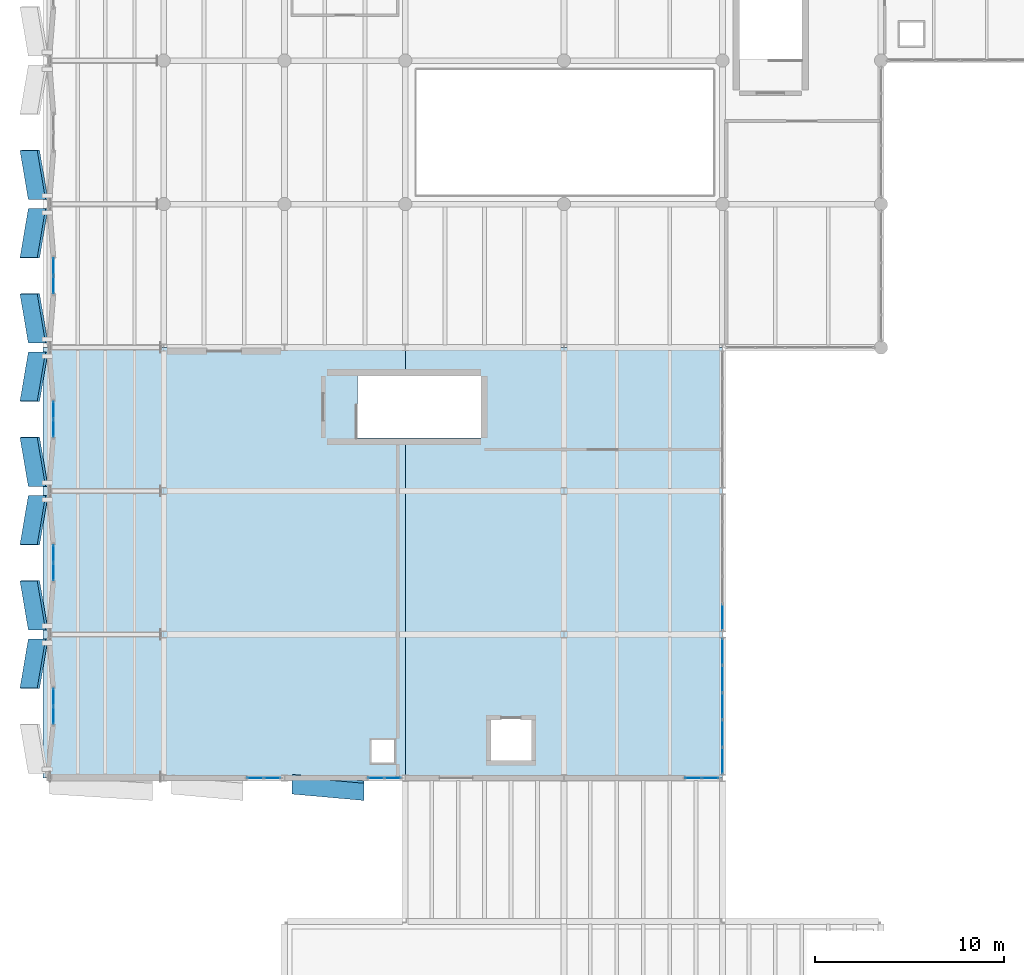
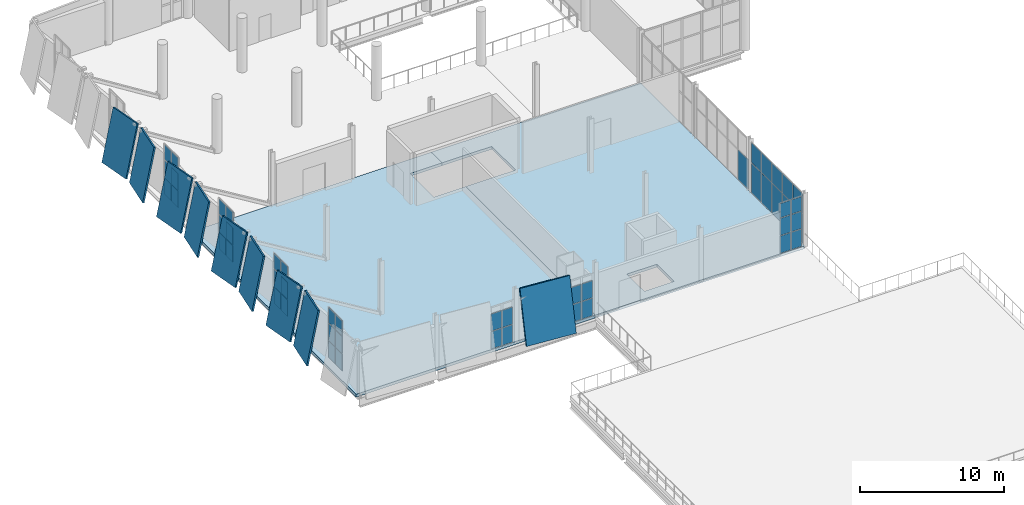
# One storey, part 49 of 74: 58 plates, 2 slabs, 9 elements without a shape of their own.
"""IFC4 building model written with IfcOpenShell, lengths in metres."""

from ifc_helpers import new_model, si_unit, direction, frame, origin, origin_2d, place, context, subcontext, project, spatial, polyline, rectangle, outline, extrude, material, layer, layer_set, type_object, element, aggregate, save


model = new_model("IFC4")

# Units and contexts
model_context = context("Model", 3, precision=1e-05, world=origin(), true_north=direction((0.0, 1.0)))
body_context = subcontext(model_context, "Body", "Model", "MODEL_VIEW")
ifc_project = project(units=[si_unit("LENGTHUNIT", "METRE"), si_unit("AREAUNIT", "SQUARE_METRE"), si_unit("VOLUMEUNIT", "CUBIC_METRE"), si_unit("PLANEANGLEUNIT", "RADIAN"), si_unit("MASSUNIT", "GRAM", prefix="KILO")], contexts=[model_context])

# Site, building, storey
site_placement = place(None, origin())
site = spatial("IfcSite", under=ifc_project, at=site_placement, CompositionType="ELEMENT")
building_placement = place(site_placement, origin())
building = spatial("IfcBuilding", under=site, at=building_placement, Name="Shengluoqiao Park Theatre", CompositionType="ELEMENT")
storey_placement = place(building_placement, frame((0.0, 0.0, 14.60009765625)))
storey = spatial("IfcBuildingStorey", under=building, at=storey_placement, Name="L03", CompositionType="ELEMENT", Elevation=14.60009765625)

# Plates
ifc_material_1 = material(Name="Precast concrete C45", Category="concrete")
ifc_layer_1 = layer(ifc_material_1, 0.1298828125, Name="Precast concrete C45")
ifc_layer_set_1 = layer_set([ifc_layer_1], Name="Precast concrete C45")
plate_type_1 = type_object("IfcPlateType", Name="ENV-CRYS-CP-130", PredefinedType="USERDEFINED", material=ifc_layer_set_1)
plate_1_placement = place(storey_placement, frame((-1.212890625, 35.159912109375, -0.050048828125), z_axis=(-0.965714399006, 0.16340068986, 0.20173228325), x_axis=(0.166830610335, 0.985985571626, 0.0)))
element("IfcPlate", 1, at=plate_1_placement, inside=storey, type_object=plate_type_1, Name="V3 L03 Tilted White Precast Crystal Panel 048", ObjectType="FACADE PANEL", PredefinedType="USERDEFINED", context=body_context, shape_type="SweptSolid", body=[
    extrude(outline(polyline([(0.0, 0.0), (2.637054467198198, 1.3877787807814457e-17), (2.78934442131039, -4.461600426058242), (0.15228995411219196, -4.461600426058242), (0.0, 0.0)])), origin(), (0.0, 0.0, -1.0), 0.1298828125),
])
plate_2_placement = place(storey_placement, frame((-0.77294921875, 38.239990234375, -0.050048828125), z_axis=(-0.965714399006, -0.16340068986, 0.20173228325), x_axis=(-0.166830610335, 0.985985571626, 0.0)))
element("IfcPlate", 2, at=plate_2_placement, inside=storey, type_object=plate_type_1, Name="V3 L03 Tilted White Precast Crystal Panel 049", ObjectType="FACADE PANEL", PredefinedType="USERDEFINED", context=body_context, shape_type="SweptSolid", body=[
    extrude(outline(polyline([(0.0, 0.0), (2.637054467198198, -1.3877787807814457e-17), (2.484764513086006, -4.461600426058242), (-0.15228995411219196, -4.461600426058242), (0.0, 0.0)])), origin(), (0.0, 0.0, -1.0), 0.1298828125),
])
plate_3_placement = place(storey_placement, frame((-1.212890625, 42.760009765625, -0.050048828125), z_axis=(-0.965714399006, 0.16340068986, 0.20173228325), x_axis=(0.166830610335, 0.985985571626, 0.0)))
element("IfcPlate", 3, at=plate_3_placement, inside=storey, type_object=plate_type_1, Name="V3 L03 Tilted White Precast Crystal Panel 050", ObjectType="FACADE PANEL", PredefinedType="USERDEFINED", context=body_context, shape_type="SweptSolid", body=[
    extrude(outline(polyline([(0.0, 0.0), (2.637054467198198, 1.3877787807814457e-17), (2.78934442131039, -4.461600426058242), (0.15228995411219196, -4.461600426058242), (0.0, 0.0)])), origin(), (0.0, 0.0, -1.0), 0.1298828125),
])
plate_4_placement = place(storey_placement, frame((-0.77294921875, 45.840087890625, -0.050048828125), z_axis=(-0.965711977607, -0.163415624345, 0.201731777433), x_axis=(-0.166845840561, 0.985982994523, 0.0)))
element("IfcPlate", 4, at=plate_4_placement, inside=storey, type_object=plate_type_1, Name="V3 L03 Tilted White Precast Crystal Panel 051", ObjectType="FACADE PANEL", PredefinedType="USERDEFINED", context=body_context, shape_type="SweptSolid", body=[
    extrude(outline(polyline([(0.0, 0.0), (2.6368137483790735, 0.0), (2.484509891480634, -4.461599951486063), (-0.15230385689843953, -4.461599951486063), (0.0, 0.0)])), origin(), (0.0, 0.0, -1.0), 0.1298828125),
])
plate_5_placement = place(storey_placement, frame((-1.212890625, 50.360107421875, -0.050048828125), z_axis=(-0.965711977607, 0.163415624345, 0.201731777433), x_axis=(0.166845840561, 0.985982994523, 0.0)))
element("IfcPlate", 5, at=plate_5_placement, inside=storey, type_object=plate_type_1, Name="V3 L03 Tilted White Precast Crystal Panel 052", ObjectType="FACADE PANEL", PredefinedType="USERDEFINED", context=body_context, shape_type="SweptSolid", body=[
    extrude(outline(polyline([(0.0, 0.0), (2.6368137483790735, 0.0), (2.789117605277513, -4.461599951486063), (0.15230385689843953, -4.461599951486063), (0.0, 0.0)])), origin(), (0.0, 0.0, -1.0), 0.1298828125),
])
plate_6_placement = place(storey_placement, frame((-0.77294921875, 53.43994140625, -0.050048828125), z_axis=(-0.965714399006, -0.16340068986, 0.20173228325), x_axis=(-0.166830610335, 0.985985571626, 0.0)))
element("IfcPlate", 6, at=plate_6_placement, inside=storey, type_object=plate_type_1, Name="V5 L03 Tilted White Precast Crystal Panel 053", ObjectType="FACADE PANEL", PredefinedType="USERDEFINED", context=body_context, shape_type="SweptSolid", body=[
    extrude(outline(polyline([(0.0, 0.0), (2.637054467198198, -1.3877787807814457e-17), (2.484764513086006, -4.461600426058242), (-0.15228995411219196, -4.461600426058242), (0.0, 0.0)])), origin(), (0.0, 0.0, -1.0), 0.1298828125),
])
plate_7_placement = place(storey_placement, frame((-1.212890625, 57.9599609375, -0.050048828125), z_axis=(-0.965714399006, 0.16340068986, 0.20173228325), x_axis=(0.166830610335, 0.985985571626, 0.0)))
element("IfcPlate", 7, at=plate_7_placement, inside=storey, type_object=plate_type_1, Name="V5 L03 Tilted White Precast Crystal Panel 054", ObjectType="FACADE PANEL", PredefinedType="USERDEFINED", context=body_context, shape_type="SweptSolid", body=[
    extrude(outline(polyline([(0.0, 0.0), (2.637054467198198, 1.3877787807814457e-17), (2.78934442131039, -4.461600426058242), (0.15228995411219196, -4.461600426058242), (0.0, 0.0)])), origin(), (0.0, 0.0, -1.0), 0.1298828125),
])
plate_8_placement = place(storey_placement, frame((-0.77294921875, 61.0400390625, -0.050048828125), z_axis=(-0.965711977607, -0.163415624345, 0.201731777433), x_axis=(-0.166845840561, 0.985982994523, 0.0)))
element("IfcPlate", 8, at=plate_8_placement, inside=storey, type_object=plate_type_1, Name="V5 L03 Tilted White Precast Crystal Panel 055", ObjectType="FACADE PANEL", PredefinedType="USERDEFINED", context=body_context, shape_type="SweptSolid", body=[
    extrude(outline(polyline([(0.0, 0.0), (2.6368137483790735, 0.0), (2.484509891480634, -4.461599951486063), (-0.15230385689843953, -4.461599951486063), (0.0, 0.0)])), origin(), (0.0, 0.0, -1.0), 0.1298828125),
])
plate_9_placement = place(storey_placement, frame((13.199951171875, 29.547119140625, -0.050048828125), z_axis=(-0.087238864034, -0.975133155252, 0.203727048107), x_axis=(0.99602188287, -0.089108971516, -6.356253e-06)))
element("IfcPlate", 9, at=plate_9_placement, inside=storey, type_object=plate_type_1, Name="V3 South L03 Tilted White Precast Crystal Panel 061", ObjectType="FACADE PANEL", PredefinedType="USERDEFINED", context=body_context, shape_type="SweptSolid", body=[
    extrude(outline(polyline([(0.0, 0.0), (3.8152366709438437, -1.3877787807814457e-17), (3.733844746128438, 4.463506661300104), (-0.08137016969540672, 4.463457121250413), (0.0, 0.0)])), origin(), (0.0, 0.0, -1.0), 0.1298828125),
])

# Curtain wall, plates
ifc_material_2 = material(Name="Aluminium 6063-T6", Category="aluminium")
curtain_wall_type_1 = type_object("IfcCurtainWallType", Name="ENV-CW-STUDIO", PredefinedType="NOTDEFINED", material=ifc_material_2)
curtain_wall_1_placement = place(storey_placement, origin())
curtain_wall_1 = element("IfcCurtainWall", 10, at=curtain_wall_1_placement, inside=storey, type_object=curtain_wall_type_1, Name="L03 Curtain Wall CWX-L03-0030", PredefinedType="NOTDEFINED")
ifc_material_3 = material(Name="Insulated glass", Category="glass")
ifc_layer_2 = layer(ifc_material_3, 0.0380859375, Name="Insulated glass")
ifc_layer_set_2 = layer_set([ifc_layer_2], Name="Insulated glass")
plate_type_2 = type_object("IfcPlateType", Name="ENV-GLZ-GL-38", PredefinedType="CURTAIN_PANEL", material=ifc_layer_set_2)
plate_10_placement = place(storey_placement, frame((11.245849609375, 30.39990234375, 0.059814453125), z_axis=(0.0, 0.0, 1.0), x_axis=(1.0, 0.0, 0.0)))
plate_10 = element("IfcPlate", 11, at=plate_10_placement, type_object=plate_type_2, Name="CW-02 panel 1.1", PredefinedType="CURTAIN_PANEL", context=body_context, shape_type="SweptSolid", body=[
    extrude(rectangle(XDim=0.83740234375, YDim=0.0380859375, at=origin_2d()), origin(), (0.0, 0.0, 1.0), 1.4599609375),
])
plate_11_placement = place(storey_placement, frame((11.245849609375, 30.39990234375, 1.579833984375), z_axis=(0.0, 0.0, 1.0), x_axis=(1.0, 0.0, 0.0)))
plate_11 = element("IfcPlate", 12, at=plate_11_placement, type_object=plate_type_2, Name="CW-02 panel 1.2", PredefinedType="CURTAIN_PANEL", context=body_context, shape_type="SweptSolid", body=[
    extrude(rectangle(XDim=0.83740234375, YDim=0.0380859375, at=origin_2d()), origin(), (0.0, 0.0, 1.0), 1.43994140625),
])
plate_12_placement = place(storey_placement, frame((12.143310546875, 30.39990234375, 0.059814453125), z_axis=(0.0, 0.0, 1.0), x_axis=(1.0, 0.0, 0.0)))
plate_12 = element("IfcPlate", 13, at=plate_12_placement, type_object=plate_type_2, Name="CW-02 panel 2.1", PredefinedType="CURTAIN_PANEL", context=body_context, shape_type="SweptSolid", body=[
    extrude(rectangle(XDim=0.83740234375, YDim=0.0380859375, at=origin_2d()), origin(), (0.0, 0.0, 1.0), 1.4599609375),
])
plate_13_placement = place(storey_placement, frame((12.143310546875, 30.39990234375, 1.579833984375), z_axis=(0.0, 0.0, 1.0), x_axis=(1.0, 0.0, 0.0)))
plate_13 = element("IfcPlate", 14, at=plate_13_placement, type_object=plate_type_2, Name="CW-02 panel 2.2", PredefinedType="CURTAIN_PANEL", context=body_context, shape_type="SweptSolid", body=[
    extrude(rectangle(XDim=0.83740234375, YDim=0.0380859375, at=origin_2d()), origin(), (0.0, 0.0, 1.0), 1.43994140625),
])
aggregate(curtain_wall_1, [plate_10, plate_11, plate_12, plate_13])

curtain_wall_2_placement = place(storey_placement, origin())
curtain_wall_2 = element("IfcCurtainWall", 15, at=curtain_wall_2_placement, inside=storey, type_object=curtain_wall_type_1, Name="L03 Curtain Wall CWX-L03-0031", PredefinedType="NOTDEFINED")
plate_14_placement = place(storey_placement, frame((17.645751953125, 30.39990234375, 0.059814453125), z_axis=(0.0, 0.0, 1.0), x_axis=(1.0, 0.0, 0.0)))
plate_14 = element("IfcPlate", 16, at=plate_14_placement, type_object=plate_type_2, Name="CW-02 panel 1.1", PredefinedType="CURTAIN_PANEL", context=body_context, shape_type="SweptSolid", body=[
    extrude(rectangle(XDim=0.83740234375, YDim=0.0380859375, at=origin_2d()), origin(), (0.0, 0.0, 1.0), 1.4599609375),
])
plate_15_placement = place(storey_placement, frame((17.645751953125, 30.39990234375, 1.579833984375), z_axis=(0.0, 0.0, 1.0), x_axis=(1.0, 0.0, 0.0)))
plate_15 = element("IfcPlate", 17, at=plate_15_placement, type_object=plate_type_2, Name="CW-02 panel 1.2", PredefinedType="CURTAIN_PANEL", context=body_context, shape_type="SweptSolid", body=[
    extrude(rectangle(XDim=0.83740234375, YDim=0.0380859375, at=origin_2d()), origin(), (0.0, 0.0, 1.0), 1.43994140625),
])
plate_16_placement = place(storey_placement, frame((18.543212890625, 30.39990234375, 0.059814453125), z_axis=(0.0, 0.0, 1.0), x_axis=(1.0, 0.0, 0.0)))
plate_16 = element("IfcPlate", 18, at=plate_16_placement, type_object=plate_type_2, Name="CW-02 panel 2.1", PredefinedType="CURTAIN_PANEL", context=body_context, shape_type="SweptSolid", body=[
    extrude(rectangle(XDim=0.83740234375, YDim=0.0380859375, at=origin_2d()), origin(), (0.0, 0.0, 1.0), 1.4599609375),
])
plate_17_placement = place(storey_placement, frame((18.543212890625, 30.39990234375, 1.579833984375), z_axis=(0.0, 0.0, 1.0), x_axis=(1.0, 0.0, 0.0)))
plate_17 = element("IfcPlate", 19, at=plate_17_placement, type_object=plate_type_2, Name="CW-02 panel 2.2", PredefinedType="CURTAIN_PANEL", context=body_context, shape_type="SweptSolid", body=[
    extrude(rectangle(XDim=0.83740234375, YDim=0.0380859375, at=origin_2d()), origin(), (0.0, 0.0, 1.0), 1.43994140625),
])
aggregate(curtain_wall_2, [plate_14, plate_15, plate_16, plate_17])

curtain_wall_3_placement = place(storey_placement, origin())
curtain_wall_3 = element("IfcCurtainWall", 20, at=curtain_wall_3_placement, inside=storey, type_object=curtain_wall_type_1, Name="L03 Curtain Wall CWX-L03-0032", PredefinedType="NOTDEFINED")
plate_18_placement = place(storey_placement, frame((34.44580078125, 30.39990234375, 0.059814453125), z_axis=(0.0, 0.0, 1.0), x_axis=(1.0, 0.0, 0.0)))
plate_18 = element("IfcPlate", 21, at=plate_18_placement, type_object=plate_type_2, Name="CW-02 panel 1.1", PredefinedType="CURTAIN_PANEL", context=body_context, shape_type="SweptSolid", body=[
    extrude(rectangle(XDim=0.83740234375, YDim=0.0380859375, at=origin_2d()), origin(), (0.0, 0.0, 1.0), 1.4599609375),
])
plate_19_placement = place(storey_placement, frame((34.44580078125, 30.39990234375, 1.579833984375), z_axis=(0.0, 0.0, 1.0), x_axis=(1.0, 0.0, 0.0)))
plate_19 = element("IfcPlate", 22, at=plate_19_placement, type_object=plate_type_2, Name="CW-02 panel 1.2", PredefinedType="CURTAIN_PANEL", context=body_context, shape_type="SweptSolid", body=[
    extrude(rectangle(XDim=0.83740234375, YDim=0.0380859375, at=origin_2d()), origin(), (0.0, 0.0, 1.0), 1.43994140625),
])
plate_20_placement = place(storey_placement, frame((34.44580078125, 30.39990234375, 3.080078125), z_axis=(0.0, 0.0, 1.0), x_axis=(1.0, 0.0, 0.0)))
plate_20 = element("IfcPlate", 23, at=plate_20_placement, type_object=plate_type_2, Name="CW-02 panel 1.3", PredefinedType="CURTAIN_PANEL", context=body_context, shape_type="SweptSolid", body=[
    extrude(rectangle(XDim=0.83740234375, YDim=0.0380859375, at=origin_2d()), origin(), (0.0, 0.0, 1.0), 1.199951171875),
])
plate_21_placement = place(storey_placement, frame((35.34326171875, 30.39990234375, 0.059814453125), z_axis=(0.0, 0.0, 1.0), x_axis=(1.0, 0.0, 0.0)))
plate_21 = element("IfcPlate", 24, at=plate_21_placement, type_object=plate_type_2, Name="CW-02 panel 2.1", PredefinedType="CURTAIN_PANEL", context=body_context, shape_type="SweptSolid", body=[
    extrude(rectangle(XDim=0.83740234375, YDim=0.0380859375, at=origin_2d()), origin(), (0.0, 0.0, 1.0), 1.4599609375),
])
plate_22_placement = place(storey_placement, frame((35.34326171875, 30.39990234375, 1.579833984375), z_axis=(0.0, 0.0, 1.0), x_axis=(1.0, 0.0, 0.0)))
plate_22 = element("IfcPlate", 25, at=plate_22_placement, type_object=plate_type_2, Name="CW-02 panel 2.2", PredefinedType="CURTAIN_PANEL", context=body_context, shape_type="SweptSolid", body=[
    extrude(rectangle(XDim=0.83740234375, YDim=0.0380859375, at=origin_2d()), origin(), (0.0, 0.0, 1.0), 1.43994140625),
])
plate_23_placement = place(storey_placement, frame((35.34326171875, 30.39990234375, 3.080078125), z_axis=(0.0, 0.0, 1.0), x_axis=(1.0, 0.0, 0.0)))
plate_23 = element("IfcPlate", 26, at=plate_23_placement, type_object=plate_type_2, Name="CW-02 panel 2.3", PredefinedType="CURTAIN_PANEL", context=body_context, shape_type="SweptSolid", body=[
    extrude(rectangle(XDim=0.83740234375, YDim=0.0380859375, at=origin_2d()), origin(), (0.0, 0.0, 1.0), 1.199951171875),
])
aggregate(curtain_wall_3, [plate_18, plate_19, plate_20, plate_21, plate_22, plate_23])

curtain_wall_type_2 = type_object("IfcCurtainWallType", Name="ENV-CW-COURT", PredefinedType="NOTDEFINED", material=ifc_material_2)
curtain_wall_4_placement = place(storey_placement, origin())
curtain_wall_4 = element("IfcCurtainWall", 27, at=curtain_wall_4_placement, inside=storey, type_object=curtain_wall_type_2, Name="L03 Curtain Wall CWX-L03-0033", PredefinedType="NOTDEFINED")
plate_24_placement = place(storey_placement, frame((36.0, 31.31591796875, 0.06005859375), z_axis=(0.0, 0.0, 1.0), x_axis=(0.0, 1.0, 0.0)))
plate_24 = element("IfcPlate", 28, at=plate_24_placement, type_object=plate_type_2, Name="CW-05 panel 1.1", PredefinedType="CURTAIN_PANEL", context=body_context, shape_type="SweptSolid", body=[
    extrude(rectangle(XDim=1.359619140625, YDim=0.0380859375, at=origin_2d()), origin(), (0.0, 0.0, 1.0), 2.513916015625),
])
plate_25_placement = place(storey_placement, frame((36.0, 31.31591796875, 2.6337890625), z_axis=(0.0, 0.0, 1.0), x_axis=(0.0, 1.0, 0.0)))
plate_25 = element("IfcPlate", 29, at=plate_25_placement, type_object=plate_type_2, Name="CW-05 panel 1.2", PredefinedType="CURTAIN_PANEL", context=body_context, shape_type="SweptSolid", body=[
    extrude(rectangle(XDim=1.359619140625, YDim=0.0380859375, at=origin_2d()), origin(), (0.0, 0.0, 1.0), 1.64599609375),
])
plate_26_placement = place(storey_placement, frame((36.0, 32.75048828125, 0.06005859375), z_axis=(0.0, 0.0, 1.0), x_axis=(0.0, 1.0, 0.0)))
plate_26 = element("IfcPlate", 30, at=plate_26_placement, type_object=plate_type_2, Name="CW-05 panel 2.1", PredefinedType="CURTAIN_PANEL", context=body_context, shape_type="SweptSolid", body=[
    extrude(rectangle(XDim=1.3896484375, YDim=0.0380859375, at=origin_2d()), origin(), (0.0, 0.0, 1.0), 2.513916015625),
])
plate_27_placement = place(storey_placement, frame((36.0, 32.75048828125, 2.6337890625), z_axis=(0.0, 0.0, 1.0), x_axis=(0.0, 1.0, 0.0)))
plate_27 = element("IfcPlate", 31, at=plate_27_placement, type_object=plate_type_2, Name="CW-05 panel 2.2", PredefinedType="CURTAIN_PANEL", context=body_context, shape_type="SweptSolid", body=[
    extrude(rectangle(XDim=1.3896484375, YDim=0.0380859375, at=origin_2d()), origin(), (0.0, 0.0, 1.0), 1.64599609375),
])
plate_28_placement = place(storey_placement, frame((36.0, 34.199951171875, 0.06005859375), z_axis=(0.0, 0.0, 1.0), x_axis=(0.0, 1.0, 0.0)))
plate_28 = element("IfcPlate", 32, at=plate_28_placement, type_object=plate_type_2, Name="CW-05 panel 3.1", PredefinedType="CURTAIN_PANEL", context=body_context, shape_type="SweptSolid", body=[
    extrude(rectangle(XDim=1.3896484375, YDim=0.0380859375, at=origin_2d()), origin(), (0.0, 0.0, 1.0), 2.513916015625),
])
plate_29_placement = place(storey_placement, frame((36.0, 34.199951171875, 2.6337890625), z_axis=(0.0, 0.0, 1.0), x_axis=(0.0, 1.0, 0.0)))
plate_29 = element("IfcPlate", 33, at=plate_29_placement, type_object=plate_type_2, Name="CW-05 panel 3.2", PredefinedType="CURTAIN_PANEL", context=body_context, shape_type="SweptSolid", body=[
    extrude(rectangle(XDim=1.3896484375, YDim=0.0380859375, at=origin_2d()), origin(), (0.0, 0.0, 1.0), 1.64599609375),
])
plate_30_placement = place(storey_placement, frame((36.0, 35.649658203125, 0.06005859375), z_axis=(0.0, 0.0, 1.0), x_axis=(0.0, 1.0, 0.0)))
plate_30 = element("IfcPlate", 34, at=plate_30_placement, type_object=plate_type_2, Name="CW-05 panel 4.1", PredefinedType="CURTAIN_PANEL", context=body_context, shape_type="SweptSolid", body=[
    extrude(rectangle(XDim=1.3896484375, YDim=0.0380859375, at=origin_2d()), origin(), (0.0, 0.0, 1.0), 2.513916015625),
])
plate_31_placement = place(storey_placement, frame((36.0, 35.649658203125, 2.6337890625), z_axis=(0.0, 0.0, 1.0), x_axis=(0.0, 1.0, 0.0)))
plate_31 = element("IfcPlate", 35, at=plate_31_placement, type_object=plate_type_2, Name="CW-05 panel 4.2", PredefinedType="CURTAIN_PANEL", context=body_context, shape_type="SweptSolid", body=[
    extrude(rectangle(XDim=1.3896484375, YDim=0.0380859375, at=origin_2d()), origin(), (0.0, 0.0, 1.0), 1.64599609375),
])
plate_32_placement = place(storey_placement, frame((36.0, 37.084228515625, 0.06005859375), z_axis=(0.0, 0.0, 1.0), x_axis=(0.0, 1.0, 0.0)))
plate_32 = element("IfcPlate", 36, at=plate_32_placement, type_object=plate_type_2, Name="CW-05 panel 5.1", PredefinedType="CURTAIN_PANEL", context=body_context, shape_type="SweptSolid", body=[
    extrude(rectangle(XDim=1.359619140625, YDim=0.0380859375, at=origin_2d()), origin(), (0.0, 0.0, 1.0), 2.513916015625),
])
plate_33_placement = place(storey_placement, frame((36.0, 37.084228515625, 2.6337890625), z_axis=(0.0, 0.0, 1.0), x_axis=(0.0, 1.0, 0.0)))
plate_33 = element("IfcPlate", 37, at=plate_33_placement, type_object=plate_type_2, Name="CW-05 panel 5.2", PredefinedType="CURTAIN_PANEL", context=body_context, shape_type="SweptSolid", body=[
    extrude(rectangle(XDim=1.359619140625, YDim=0.0380859375, at=origin_2d()), origin(), (0.0, 0.0, 1.0), 1.64599609375),
])
aggregate(curtain_wall_4, [plate_24, plate_25, plate_26, plate_27, plate_28, plate_29, plate_30, plate_31, plate_32, plate_33])

# Curtain wall, plate
curtain_wall_5_placement = place(storey_placement, origin())
curtain_wall_5 = element("IfcCurtainWall", 38, at=curtain_wall_5_placement, inside=storey, type_object=curtain_wall_type_2, Name="L03 Curtain Wall CWX-L03-0034", PredefinedType="NOTDEFINED")
plate_34_placement = place(storey_placement, frame((36.0, 38.915771484375, 0.06005859375), z_axis=(0.0, 0.0, 1.0), x_axis=(0.0, 1.0, 0.0)))
plate_34 = element("IfcPlate", 39, at=plate_34_placement, type_object=plate_type_2, Name="CW-05 panel 1.1", PredefinedType="CURTAIN_PANEL", context=body_context, shape_type="SweptSolid", body=[
    extrude(rectangle(XDim=1.359619140625, YDim=0.0380859375, at=origin_2d()), origin(), (0.0, 0.0, 1.0), 2.513916015625),
])
aggregate(curtain_wall_5, [plate_34])

# Curtain wall, plates
curtain_wall_type_3 = type_object("IfcCurtainWallType", Name="ENV-CW-FOYER", PredefinedType="NOTDEFINED", material=ifc_material_2)
curtain_wall_6_placement = place(storey_placement, origin())
curtain_wall_6 = element("IfcCurtainWall", 40, at=curtain_wall_6_placement, inside=storey, type_object=curtain_wall_type_3, Name="L03 Curtain Wall CW-L03-SLIT-0247", PredefinedType="NOTDEFINED")
plate_35_placement = place(storey_placement, frame((0.56005859375, 56.516357421875, 0.06494140625), z_axis=(0.0, 0.0, 1.0), x_axis=(0.0, 1.0, 0.0)))
plate_35 = element("IfcPlate", 41, at=plate_35_placement, type_object=plate_type_2, Name="CW-01 panel 1.1", PredefinedType="CURTAIN_PANEL", context=body_context, shape_type="SweptSolid", body=[
    extrude(rectangle(XDim=0.902587890625, YDim=0.0380859375, at=origin_2d()), origin(), (0.0, 0.0, 1.0), 1.402587890625),
])
plate_36_placement = place(storey_placement, frame((0.56005859375, 56.516357421875, 1.532470703125), z_axis=(0.0, 0.0, 1.0), x_axis=(0.0, 1.0, 0.0)))
plate_36 = element("IfcPlate", 42, at=plate_36_placement, type_object=plate_type_2, Name="CW-01 panel 1.2", PredefinedType="CURTAIN_PANEL", context=body_context, shape_type="SweptSolid", body=[
    extrude(rectangle(XDim=0.902587890625, YDim=0.0380859375, at=origin_2d()), origin(), (0.0, 0.0, 1.0), 1.43505859375),
])
plate_37_placement = place(storey_placement, frame((0.56005859375, 56.516357421875, 3.0322265625), z_axis=(0.0, 0.0, 1.0), x_axis=(0.0, 1.0, 0.0)))
plate_37 = element("IfcPlate", 43, at=plate_37_placement, type_object=plate_type_2, Name="CW-01 panel 1.3", PredefinedType="CURTAIN_PANEL", context=body_context, shape_type="SweptSolid", body=[
    extrude(rectangle(XDim=0.902587890625, YDim=0.0380859375, at=origin_2d()), origin(), (0.0, 0.0, 1.0), 1.262451171875),
])
plate_38_placement = place(storey_placement, frame((0.56005859375, 57.483642578125, 0.06494140625), z_axis=(0.0, 0.0, 1.0), x_axis=(0.0, 1.0, 0.0)))
plate_38 = element("IfcPlate", 44, at=plate_38_placement, type_object=plate_type_2, Name="CW-01 panel 2.1", PredefinedType="CURTAIN_PANEL", context=body_context, shape_type="SweptSolid", body=[
    extrude(rectangle(XDim=0.902587890625, YDim=0.0380859375, at=origin_2d()), origin(), (0.0, 0.0, 1.0), 1.402587890625),
])
plate_39_placement = place(storey_placement, frame((0.56005859375, 57.483642578125, 1.532470703125), z_axis=(0.0, 0.0, 1.0), x_axis=(0.0, 1.0, 0.0)))
plate_39 = element("IfcPlate", 45, at=plate_39_placement, type_object=plate_type_2, Name="CW-01 panel 2.2", PredefinedType="CURTAIN_PANEL", context=body_context, shape_type="SweptSolid", body=[
    extrude(rectangle(XDim=0.902587890625, YDim=0.0380859375, at=origin_2d()), origin(), (0.0, 0.0, 1.0), 1.43505859375),
])
plate_40_placement = place(storey_placement, frame((0.56005859375, 57.483642578125, 3.0322265625), z_axis=(0.0, 0.0, 1.0), x_axis=(0.0, 1.0, 0.0)))
plate_40 = element("IfcPlate", 46, at=plate_40_placement, type_object=plate_type_2, Name="CW-01 panel 2.3", PredefinedType="CURTAIN_PANEL", context=body_context, shape_type="SweptSolid", body=[
    extrude(rectangle(XDim=0.902587890625, YDim=0.0380859375, at=origin_2d()), origin(), (0.0, 0.0, 1.0), 1.262451171875),
])
aggregate(curtain_wall_6, [plate_35, plate_36, plate_37, plate_38, plate_39, plate_40])

curtain_wall_7_placement = place(storey_placement, origin())
curtain_wall_7 = element("IfcCurtainWall", 47, at=curtain_wall_7_placement, inside=storey, type_object=curtain_wall_type_1, Name="L03 Curtain Wall CW-L03-SLIT-0244", PredefinedType="NOTDEFINED")
ifc_layer_3 = layer(ifc_material_3, 0.048095703125, Name="Insulated glass")
ifc_layer_set_3 = layer_set([ifc_layer_3], Name="Insulated glass")
plate_type_3 = type_object("IfcPlateType", Name="ENV-GLZ-GL-48", PredefinedType="CURTAIN_PANEL", material=ifc_layer_set_3)
plate_41_placement = place(storey_placement, frame((0.56005859375, 33.71630859375, 0.06494140625), z_axis=(0.0, 0.0, 1.0), x_axis=(0.0, 1.0, 0.0)))
plate_41 = element("IfcPlate", 48, at=plate_41_placement, type_object=plate_type_3, Name="CW-02 panel 1.1", PredefinedType="CURTAIN_PANEL", context=body_context, shape_type="SweptSolid", body=[
    extrude(rectangle(XDim=0.902587890625, YDim=0.048095703125, at=origin_2d()), origin(), (0.0, 0.0, 1.0), 1.402587890625),
])
plate_42_placement = place(storey_placement, frame((0.56005859375, 33.71630859375, 1.532470703125), z_axis=(0.0, 0.0, 1.0), x_axis=(0.0, 1.0, 0.0)))
plate_42 = element("IfcPlate", 49, at=plate_42_placement, type_object=plate_type_3, Name="CW-02 panel 1.2", PredefinedType="CURTAIN_PANEL", context=body_context, shape_type="SweptSolid", body=[
    extrude(rectangle(XDim=0.902587890625, YDim=0.048095703125, at=origin_2d()), origin(), (0.0, 0.0, 1.0), 1.43505859375),
])
plate_43_placement = place(storey_placement, frame((0.56005859375, 33.71630859375, 3.0322265625), z_axis=(0.0, 0.0, 1.0), x_axis=(0.0, 1.0, 0.0)))
plate_43 = element("IfcPlate", 50, at=plate_43_placement, type_object=plate_type_3, Name="CW-02 panel 1.3", PredefinedType="CURTAIN_PANEL", context=body_context, shape_type="SweptSolid", body=[
    extrude(rectangle(XDim=0.902587890625, YDim=0.048095703125, at=origin_2d()), origin(), (0.0, 0.0, 1.0), 1.262451171875),
])
plate_44_placement = place(storey_placement, frame((0.56005859375, 34.683837890625, 0.06494140625), z_axis=(0.0, 0.0, 1.0), x_axis=(0.0, 1.0, 0.0)))
plate_44 = element("IfcPlate", 51, at=plate_44_placement, type_object=plate_type_3, Name="CW-02 panel 2.1", PredefinedType="CURTAIN_PANEL", context=body_context, shape_type="SweptSolid", body=[
    extrude(rectangle(XDim=0.902587890625, YDim=0.048095703125, at=origin_2d()), origin(), (0.0, 0.0, 1.0), 1.402587890625),
])
plate_45_placement = place(storey_placement, frame((0.56005859375, 34.683837890625, 1.532470703125), z_axis=(0.0, 0.0, 1.0), x_axis=(0.0, 1.0, 0.0)))
plate_45 = element("IfcPlate", 52, at=plate_45_placement, type_object=plate_type_3, Name="CW-02 panel 2.2", PredefinedType="CURTAIN_PANEL", context=body_context, shape_type="SweptSolid", body=[
    extrude(rectangle(XDim=0.902587890625, YDim=0.048095703125, at=origin_2d()), origin(), (0.0, 0.0, 1.0), 1.43505859375),
])
plate_46_placement = place(storey_placement, frame((0.56005859375, 34.683837890625, 3.0322265625), z_axis=(0.0, 0.0, 1.0), x_axis=(0.0, 1.0, 0.0)))
plate_46 = element("IfcPlate", 53, at=plate_46_placement, type_object=plate_type_3, Name="CW-02 panel 2.3", PredefinedType="CURTAIN_PANEL", context=body_context, shape_type="SweptSolid", body=[
    extrude(rectangle(XDim=0.902587890625, YDim=0.048095703125, at=origin_2d()), origin(), (0.0, 0.0, 1.0), 1.262451171875),
])
aggregate(curtain_wall_7, [plate_41, plate_42, plate_43, plate_44, plate_45, plate_46])

curtain_wall_8_placement = place(storey_placement, origin())
curtain_wall_8 = element("IfcCurtainWall", 54, at=curtain_wall_8_placement, inside=storey, type_object=curtain_wall_type_1, Name="L03 Curtain Wall CW-L03-SLIT-0245", PredefinedType="NOTDEFINED")
plate_47_placement = place(storey_placement, frame((0.56005859375, 41.316162109375, 0.06494140625), z_axis=(0.0, 0.0, 1.0), x_axis=(0.0, 1.0, 0.0)))
plate_47 = element("IfcPlate", 55, at=plate_47_placement, type_object=plate_type_3, Name="CW-02 panel 1.1", PredefinedType="CURTAIN_PANEL", context=body_context, shape_type="SweptSolid", body=[
    extrude(rectangle(XDim=0.902587890625, YDim=0.048095703125, at=origin_2d()), origin(), (0.0, 0.0, 1.0), 1.402587890625),
])
plate_48_placement = place(storey_placement, frame((0.56005859375, 41.316162109375, 1.532470703125), z_axis=(0.0, 0.0, 1.0), x_axis=(0.0, 1.0, 0.0)))
plate_48 = element("IfcPlate", 56, at=plate_48_placement, type_object=plate_type_3, Name="CW-02 panel 1.2", PredefinedType="CURTAIN_PANEL", context=body_context, shape_type="SweptSolid", body=[
    extrude(rectangle(XDim=0.902587890625, YDim=0.048095703125, at=origin_2d()), origin(), (0.0, 0.0, 1.0), 1.43505859375),
])
plate_49_placement = place(storey_placement, frame((0.56005859375, 41.316162109375, 3.0322265625), z_axis=(0.0, 0.0, 1.0), x_axis=(0.0, 1.0, 0.0)))
plate_49 = element("IfcPlate", 57, at=plate_49_placement, type_object=plate_type_3, Name="CW-02 panel 1.3", PredefinedType="CURTAIN_PANEL", context=body_context, shape_type="SweptSolid", body=[
    extrude(rectangle(XDim=0.902587890625, YDim=0.048095703125, at=origin_2d()), origin(), (0.0, 0.0, 1.0), 1.262451171875),
])
plate_50_placement = place(storey_placement, frame((0.56005859375, 42.28369140625, 0.06494140625), z_axis=(0.0, 0.0, 1.0), x_axis=(0.0, 1.0, 0.0)))
plate_50 = element("IfcPlate", 58, at=plate_50_placement, type_object=plate_type_3, Name="CW-02 panel 2.1", PredefinedType="CURTAIN_PANEL", context=body_context, shape_type="SweptSolid", body=[
    extrude(rectangle(XDim=0.902587890625, YDim=0.048095703125, at=origin_2d()), origin(), (0.0, 0.0, 1.0), 1.402587890625),
])
plate_51_placement = place(storey_placement, frame((0.56005859375, 42.28369140625, 1.532470703125), z_axis=(0.0, 0.0, 1.0), x_axis=(0.0, 1.0, 0.0)))
plate_51 = element("IfcPlate", 59, at=plate_51_placement, type_object=plate_type_3, Name="CW-02 panel 2.2", PredefinedType="CURTAIN_PANEL", context=body_context, shape_type="SweptSolid", body=[
    extrude(rectangle(XDim=0.902587890625, YDim=0.048095703125, at=origin_2d()), origin(), (0.0, 0.0, 1.0), 1.43505859375),
])
plate_52_placement = place(storey_placement, frame((0.56005859375, 42.28369140625, 3.0322265625), z_axis=(0.0, 0.0, 1.0), x_axis=(0.0, 1.0, 0.0)))
plate_52 = element("IfcPlate", 60, at=plate_52_placement, type_object=plate_type_3, Name="CW-02 panel 2.3", PredefinedType="CURTAIN_PANEL", context=body_context, shape_type="SweptSolid", body=[
    extrude(rectangle(XDim=0.902587890625, YDim=0.048095703125, at=origin_2d()), origin(), (0.0, 0.0, 1.0), 1.262451171875),
])
aggregate(curtain_wall_8, [plate_47, plate_48, plate_49, plate_50, plate_51, plate_52])

curtain_wall_9_placement = place(storey_placement, origin())
curtain_wall_9 = element("IfcCurtainWall", 61, at=curtain_wall_9_placement, inside=storey, type_object=curtain_wall_type_1, Name="L03 Curtain Wall CW-L03-SLIT-0246", PredefinedType="NOTDEFINED")
plate_53_placement = place(storey_placement, frame((0.56005859375, 48.916259765625, 0.06494140625), z_axis=(0.0, 0.0, 1.0), x_axis=(0.0, 1.0, 0.0)))
plate_53 = element("IfcPlate", 62, at=plate_53_placement, type_object=plate_type_3, Name="CW-02 panel 1.1", PredefinedType="CURTAIN_PANEL", context=body_context, shape_type="SweptSolid", body=[
    extrude(rectangle(XDim=0.902587890625, YDim=0.048095703125, at=origin_2d()), origin(), (0.0, 0.0, 1.0), 1.402587890625),
])
plate_54_placement = place(storey_placement, frame((0.56005859375, 48.916259765625, 1.532470703125), z_axis=(0.0, 0.0, 1.0), x_axis=(0.0, 1.0, 0.0)))
plate_54 = element("IfcPlate", 63, at=plate_54_placement, type_object=plate_type_3, Name="CW-02 panel 1.2", PredefinedType="CURTAIN_PANEL", context=body_context, shape_type="SweptSolid", body=[
    extrude(rectangle(XDim=0.902587890625, YDim=0.048095703125, at=origin_2d()), origin(), (0.0, 0.0, 1.0), 1.43505859375),
])
plate_55_placement = place(storey_placement, frame((0.56005859375, 48.916259765625, 3.0322265625), z_axis=(0.0, 0.0, 1.0), x_axis=(0.0, 1.0, 0.0)))
plate_55 = element("IfcPlate", 64, at=plate_55_placement, type_object=plate_type_3, Name="CW-02 panel 1.3", PredefinedType="CURTAIN_PANEL", context=body_context, shape_type="SweptSolid", body=[
    extrude(rectangle(XDim=0.902587890625, YDim=0.048095703125, at=origin_2d()), origin(), (0.0, 0.0, 1.0), 1.262451171875),
])
plate_56_placement = place(storey_placement, frame((0.56005859375, 49.8837890625, 0.06494140625), z_axis=(0.0, 0.0, 1.0), x_axis=(0.0, 1.0, 0.0)))
plate_56 = element("IfcPlate", 65, at=plate_56_placement, type_object=plate_type_3, Name="CW-02 panel 2.1", PredefinedType="CURTAIN_PANEL", context=body_context, shape_type="SweptSolid", body=[
    extrude(rectangle(XDim=0.902587890625, YDim=0.048095703125, at=origin_2d()), origin(), (0.0, 0.0, 1.0), 1.402587890625),
])
plate_57_placement = place(storey_placement, frame((0.56005859375, 49.8837890625, 1.532470703125), z_axis=(0.0, 0.0, 1.0), x_axis=(0.0, 1.0, 0.0)))
plate_57 = element("IfcPlate", 66, at=plate_57_placement, type_object=plate_type_3, Name="CW-02 panel 2.2", PredefinedType="CURTAIN_PANEL", context=body_context, shape_type="SweptSolid", body=[
    extrude(rectangle(XDim=0.902587890625, YDim=0.048095703125, at=origin_2d()), origin(), (0.0, 0.0, 1.0), 1.43505859375),
])
plate_58_placement = place(storey_placement, frame((0.56005859375, 49.8837890625, 3.0322265625), z_axis=(0.0, 0.0, 1.0), x_axis=(0.0, 1.0, 0.0)))
plate_58 = element("IfcPlate", 67, at=plate_58_placement, type_object=plate_type_3, Name="CW-02 panel 2.3", PredefinedType="CURTAIN_PANEL", context=body_context, shape_type="SweptSolid", body=[
    extrude(rectangle(XDim=0.902587890625, YDim=0.048095703125, at=origin_2d()), origin(), (0.0, 0.0, 1.0), 1.262451171875),
])
aggregate(curtain_wall_9, [plate_53, plate_54, plate_55, plate_56, plate_57, plate_58])

# Slabs
ifc_material_4 = material(Name="Concrete C35", Category="concrete")
ifc_layer_4 = layer(ifc_material_4, 0.239990234375, Name="Concrete C35")
ifc_layer_set_4 = layer_set([ifc_layer_4], Name="Concrete C35")
slab_type = type_object("IfcSlabType", Name="STR-SLB-FL240", PredefinedType="FLOOR", material=ifc_layer_set_4)
slab_1_placement = place(storey_placement, frame((0.0, 0.0, -0.239990234375)))
element("IfcSlab", 68, at=slab_1_placement, inside=storey, type_object=slab_type, Name="Floor Slab L03-V3-CW", PredefinedType="FLOOR", context=body_context, shape_type="SweptSolid", body=[
    extrude(outline(polyline([(19.199951171875, 30.39990234375), (0.0, 30.39990234375), (0.0, 53.199951171875), (19.199951171875, 53.199951171875), (19.199951171875, 51.699951171875), (16.654052734375, 51.699951171875), (16.654052734375, 48.39990234375), (19.199951171875, 48.39990234375), (19.199951171875, 30.39990234375)]), holes=[polyline([(18.6201171875, 32.419921875), (17.39990234375, 32.419921875), (17.39990234375, 31.199951171875), (18.6201171875, 31.199951171875), (18.6201171875, 32.419921875)])]), origin(), (0.0, 0.0, 1.0), 0.239990234375),
])
slab_2_placement = place(storey_placement, frame((0.0, 0.0, -0.239990234375)))
element("IfcSlab", 69, at=slab_2_placement, inside=storey, type_object=slab_type, Name="Floor Slab L03-V3-CE", PredefinedType="FLOOR", context=body_context, shape_type="SweptSolid", body=[
    extrude(outline(polyline([(19.199951171875, 53.199951171875), (36.0, 53.199951171875), (36.0, 30.39990234375), (19.199951171875, 30.39990234375), (19.199951171875, 48.39990234375), (23.199951171875, 48.39990234375), (23.199951171875, 51.699951171875), (19.199951171875, 51.699951171875), (19.199951171875, 53.199951171875)]), holes=[polyline([(26.0, 31.199951171875), (26.0, 33.60009765625), (23.60009765625, 33.60009765625), (23.60009765625, 31.199951171875), (26.0, 31.199951171875)])]), origin(), (0.0, 0.0, 1.0), 0.239990234375),
])

save(model, "model.ifc")
